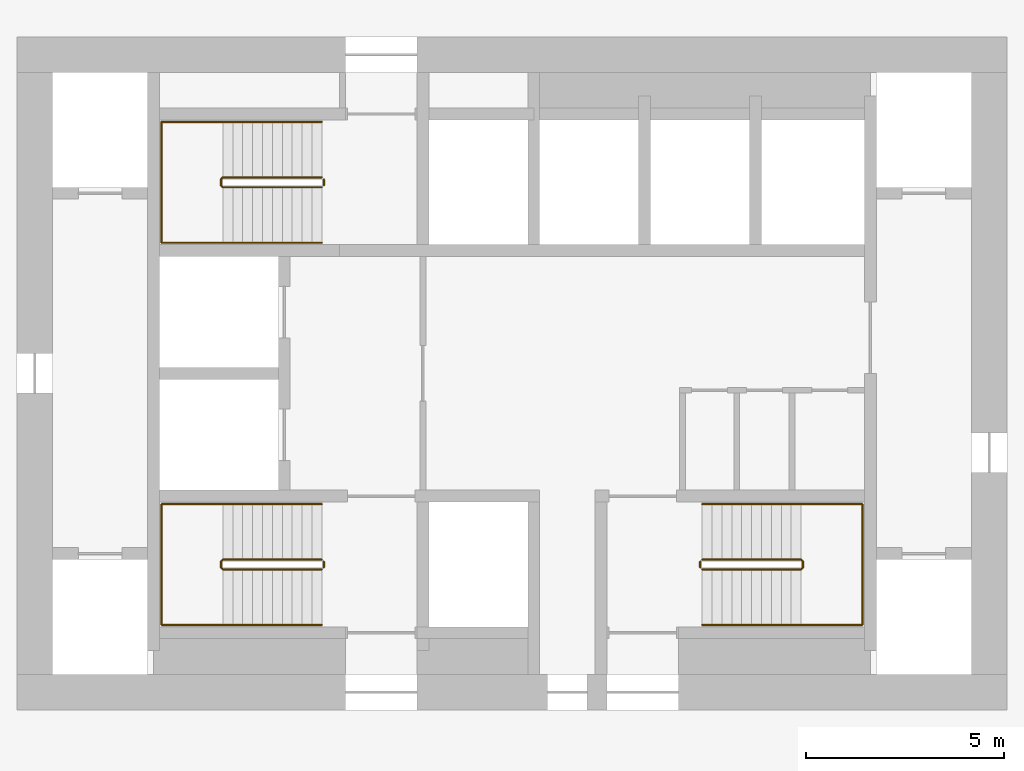
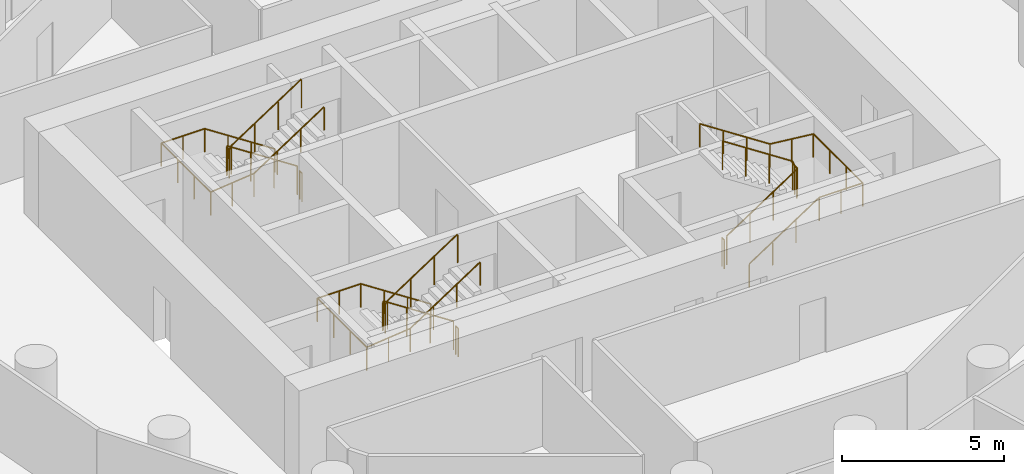
# One storey, part 10 of 10: 9 railings.
"""IFC4 building model written with IfcOpenShell, lengths in metres."""

import ifcopenshell
import ifcopenshell.guid

model = None  # the IFC model being written
_history = None  # IfcOwnerHistory: only IFC2X3 demands one
_inside = {}  # id of a spatial element -> (the spatial element, [elements in it])
_under = {}  # id of a project, library or spatial element -> (it, [spatial elements below it])
_declared = {}  # id of a project -> (the project, [libraries it declares])
_typed = {}  # id of a type object -> (the type object, [elements of that type])
_made_of = {}  # id of a material, layer set ... -> (it, [elements and type objects made of it])


def new_model(schema):
    """Start an empty IFC model of exactly this schema.

    Asked for "IFC4X3", IfcOpenShell would pick the latest addendum, in which some entities
    have other attributes; the version numbers below select the first issue.
    IFC2X3 requires an IfcOwnerHistory on every rooted entity: one is made here for all.
    """
    global model, _history
    if schema == "IFC4X3":
        model = ifcopenshell.file(schema_version=(4, 3, 0, 0))
    else:
        model = ifcopenshell.file(schema=schema)
    _inside.clear()
    _under.clear()
    _declared.clear()
    _typed.clear()
    _made_of.clear()
    _history = None
    if model.schema == "IFC2X3":
        org = make("IfcOrganization", Name="unknown")
        user = make(
            "IfcPersonAndOrganization",
            ThePerson=make("IfcPerson", FamilyName="unknown"),
            TheOrganization=org,
        )
        app = make(
            "IfcApplication",
            ApplicationDeveloper=org,
            Version="unknown",
            ApplicationFullName="unknown",
            ApplicationIdentifier="unknown",
        )
        _history = make(
            "IfcOwnerHistory",
            OwningUser=user,
            OwningApplication=app,
            ChangeAction="ADDED",
            CreationDate=0,
        )
    return model


def make(cls, **values):
    """One entity of the class cls with the attributes given. An attribute that is None is left unset."""
    return model.create_entity(
        cls, **{name: value for name, value in values.items() if value is not None}
    )


def rooted(cls, **values):
    """An entity with a GlobalId (a new one), such as an element, a storey or a relation."""
    return make(cls, GlobalId=ifcopenshell.guid.new(), OwnerHistory=_history, **values)


def si_unit(unit_type, name, prefix=None):
    """IfcSIUnit, for example si_unit("LENGTHUNIT", "METRE", prefix="MILLI")."""
    return make("IfcSIUnit", UnitType=unit_type, Prefix=prefix, Name=name)


def assignment(units):
    """IfcUnitAssignment: the units of a project."""
    return None if units is None else make("IfcUnitAssignment", Units=units)


def point(xyz):
    """IfcCartesianPoint."""
    return None if xyz is None else make("IfcCartesianPoint", Coordinates=xyz)


def direction(xyz):
    """IfcDirection."""
    return None if xyz is None else make("IfcDirection", DirectionRatios=xyz)


def frame(location, z_axis=None, x_axis=None):
    """IfcAxis2Placement3D, a coordinate frame: its origin and axes. An axis left out is left unset."""
    return make(
        "IfcAxis2Placement3D",
        Location=point(location),
        Axis=direction(z_axis),
        RefDirection=direction(x_axis),
    )


def frame_2d(location, x_axis=None):
    """IfcAxis2Placement2D, a coordinate frame in the plane: its origin and x axis."""
    return make(
        "IfcAxis2Placement2D", Location=point(location), RefDirection=direction(x_axis)
    )


def origin():
    """The frame at (0, 0, 0) with its axes left unset."""
    return frame((0.0, 0.0, 0.0))


def origin_2d():
    """The frame at (0, 0) in the plane with its x axis left unset."""
    return frame_2d((0.0, 0.0))


def place(relative_to, where):
    """IfcLocalPlacement: puts the frame where relative to a parent placement (None: the world)."""
    return make(
        "IfcLocalPlacement", PlacementRelTo=relative_to, RelativePlacement=where
    )


def context(
    kind, dimensions, precision=None, world=None, true_north=None, identifier=None
):
    """IfcGeometricRepresentationContext, for example the 3D "Model" context."""
    return make(
        "IfcGeometricRepresentationContext",
        ContextIdentifier=identifier,
        ContextType=kind,
        CoordinateSpaceDimension=dimensions,
        Precision=precision,
        WorldCoordinateSystem=world,
        TrueNorth=true_north,
    )


def subcontext(parent, identifier, kind, view, scale=None):
    """IfcGeometricRepresentationSubContext, for example "Body" below "Model"."""
    return make(
        "IfcGeometricRepresentationSubContext",
        ContextIdentifier=identifier,
        ContextType=kind,
        ParentContext=parent,
        TargetScale=scale,
        TargetView=view,
    )


def project(units=None, contexts=None):
    """IfcProject with its units and contexts."""
    return rooted(
        "IfcProject",
        Name="project",
        RepresentationContexts=contexts,
        UnitsInContext=assignment(units),
    )


def spatial(cls, under=None, at=None, **own):
    """A site, building, storey or space (cls), placed at a placement, below another one or the project."""
    s = rooted(cls, ObjectPlacement=at, **own)
    if under is not None:
        _under.setdefault(under.id(), (under, []))[1].append(s)
    return s


def profile(cls, at=None, kind="AREA", **sizes):
    """A parametric profile (cls). Its sizes go by their IFC names, for example OverallWidth=200.0."""
    return make(cls, ProfileType=kind, Position=at, **sizes)


def circle(**sizes):
    """IfcCircleProfileDef."""
    return profile("IfcCircleProfileDef", **sizes)


def extrude(swept, where, along, depth):
    """IfcExtrudedAreaSolid: the profile swept, set in the frame where, extruded along a direction by depth."""
    return make(
        "IfcExtrudedAreaSolid",
        SweptArea=swept,
        Position=where,
        ExtrudedDirection=direction(along),
        Depth=depth,
    )


def shape(context_of_items, identifier, shape_type, items):
    """IfcShapeRepresentation: the items that make up one representation, for example the "Body"."""
    return make(
        "IfcShapeRepresentation",
        ContextOfItems=context_of_items,
        RepresentationIdentifier=identifier,
        RepresentationType=shape_type,
        Items=items,
    )


def material(Name=None, Category=None):
    """IfcMaterial."""
    return make("IfcMaterial", Name=Name, Category=Category)


def made_of(thing, what):
    """Note that an element or type object is made of a material, layer set ...; save() writes the relation."""
    if what is not None:
        _made_of.setdefault(what.id(), (what, []))[1].append(thing)
    return thing


def type_object(cls, material=None, **own):
    """A type object (cls), such as IfcWallType, which elements share."""
    return made_of(rooted(cls, **own), material)


def element(
    cls,
    number,
    at=None,
    inside=None,
    cuts=None,
    type_object=None,
    material=None,
    context=None,
    identifier="Body",
    shape_type=None,
    held_by="IfcProductDefinitionShape",
    body=None,
    shapes=None,
    **own,
):
    """One element of the class cls, such as IfcWall. Its Tag is "e" and its number.

    at: its placement. inside: the storey or other place that contains it. cuts: it is an
    opening in that element (IfcRelVoidsElement). A single representation is given by context,
    identifier, shape_type and body (its items); several are given by shapes. held_by: the class
    of the entity that holds the representations. save() writes the other relations.
    """
    e = rooted(cls, Tag="e%d" % number, ObjectPlacement=at, **own)
    if body is not None:
        shapes = [shape(context, identifier, shape_type, body)]
    if shapes is not None:
        e.Representation = make(held_by, Representations=shapes)
    if inside is not None:
        _inside.setdefault(inside.id(), (inside, []))[1].append(e)
    if cuts is not None:
        rooted(
            "IfcRelVoidsElement", RelatingBuildingElement=cuts, RelatedOpeningElement=e
        )
    if type_object is not None:
        _typed.setdefault(type_object.id(), (type_object, []))[1].append(e)
    return made_of(e, material)


def aggregate(whole, parts):
    """IfcRelAggregates: a whole, such as a stair, and the parts it consists of."""
    return rooted("IfcRelAggregates", RelatingObject=whole, RelatedObjects=parts)


def save(model, path):
    """Write the relations noted so far, then the file.

    IfcRelAggregates (storeys below a building ...), IfcRelContainedInSpatialStructure (elements
    in a storey), IfcRelDefinesByType, IfcRelAssociatesMaterial and IfcRelDeclares: one each for
    every whole, place, type object, material and project.
    """
    for whole, parts in _under.values():
        aggregate(whole, parts)
    for where, things in _inside.values():
        rooted(
            "IfcRelContainedInSpatialStructure",
            RelatedElements=things,
            RelatingStructure=where,
        )
    for kind, things in _typed.values():
        rooted("IfcRelDefinesByType", RelatedObjects=things, RelatingType=kind)
    for what, things in _made_of.values():
        rooted("IfcRelAssociatesMaterial", RelatedObjects=things, RelatingMaterial=what)
    for by, libraries in _declared.values():
        rooted("IfcRelDeclares", RelatingContext=by, RelatedDefinitions=libraries)
    model.write(path)


model = new_model("IFC4")

# Units and contexts
model_context = context("Model", 3, precision=1e-05, world=origin(), true_north=direction((0.0, 1.0)))
body_context = subcontext(model_context, "Body", "Model", "MODEL_VIEW")
ifc_project = project(units=[si_unit("LENGTHUNIT", "METRE"), si_unit("AREAUNIT", "SQUARE_METRE"), si_unit("VOLUMEUNIT", "CUBIC_METRE"), si_unit("PLANEANGLEUNIT", "RADIAN"), si_unit("MASSUNIT", "GRAM", prefix="KILO")], contexts=[model_context])

# Site, building, storey
site_placement = place(None, origin())
site = spatial("IfcSite", under=ifc_project, at=site_placement, CompositionType="ELEMENT")
building_placement = place(site_placement, origin())
building = spatial("IfcBuilding", under=site, at=building_placement, Name="Tracery Tower", CompositionType="ELEMENT")
storey_placement = place(building_placement, frame((0.0, 0.0, 133.199951171875)))
storey = spatial("IfcBuildingStorey", under=building, at=storey_placement, Name="L33", CompositionType="ELEMENT", Elevation=133.199951171875)

# Railings
ifc_material_1 = material(Name="Stainless steel and laminated glass", Category="steel")
railing_type_1 = type_object("IfcRailingType", Name="Stair guard 1100", PredefinedType="GUARDRAIL", material=ifc_material_1)
railing_1_placement = place(storey_placement, frame((-4.800048828125, -4.699951171875, 0.16357421875)))
element("IfcRailing", 1, at=railing_1_placement, inside=storey, type_object=railing_type_1, Name="L33 stair ST1 guard 1", PredefinedType="GUARDRAIL", context=body_context, shape_type="SweptSolid", body=[
    extrude(circle(Radius=0.02392578125, at=origin_2d()), frame((0.0, 0.0, 1.076171875), z_axis=(-0.83668449804, 0.0, 0.54768517484), x_axis=(0.0, -1.0, 0.0)), (0.0, 0.0, 1.0), 2.988037109375),
    extrude(circle(Radius=0.02392578125, at=origin_2d()), frame((-2.5, 0.0, 2.71240234375), z_axis=(-0.707106781187, -0.707106781187, 0.0), x_axis=(0.707106781187, -0.707106781187, 0.0)), (0.0, 0.0, 1.0), 0.07080078125),
    extrude(circle(Radius=0.02392578125, at=origin_2d()), frame((-2.550048828125, -0.050048828125, 2.71240234375), z_axis=(0.0, -1.0, 0.0), x_axis=(1.0, 0.0, 0.0)), (0.0, 0.0, 1.0), 0.14990234375),
    extrude(circle(Radius=0.02392578125, at=origin_2d()), frame((-2.550048828125, -0.199951171875, 2.71240234375), z_axis=(0.280808744504, -0.280808744504, 0.917765164963), x_axis=(0.707106781187, 0.707106781187, 0.0)), (0.0, 0.0, 1.0), 0.17822265625),
    extrude(circle(Radius=0.02392578125, at=origin_2d()), frame((-2.5, -0.25, 2.8759765625), z_axis=(0.83668449804, 0.0, 0.54768517484), x_axis=(0.0, 1.0, 0.0)), (0.0, 0.0, 1.0), 2.988037109375),
    extrude(circle(Radius=0.02099609375, at=origin_2d()), origin(), (0.0, 0.0, 1.0), 1.052001953125),
    extrude(circle(Radius=0.02099609375, at=origin_2d()), frame((-0.833251953125, 0.0, 0.54541015625)), (0.0, 0.0, 1.0), 1.052001953125),
    extrude(circle(Radius=0.02099609375, at=origin_2d()), frame((-1.666748046875, 0.0, 1.091064453125)), (0.0, 0.0, 1.0), 1.052001953125),
    extrude(circle(Radius=0.02099609375, at=origin_2d()), frame((-2.5, 0.0, 1.636474609375)), (0.0, 0.0, 1.0), 1.052001953125),
    extrude(circle(Radius=0.02099609375, at=origin_2d()), frame((-2.550048828125, -0.050048828125, 1.636474609375)), (0.0, 0.0, 1.0), 1.052001953125),
    extrude(circle(Radius=0.02099609375, at=origin_2d()), frame((-2.550048828125, -0.199951171875, 1.636474609375)), (0.0, 0.0, 1.0), 1.052001953125),
    extrude(circle(Radius=0.02099609375, at=origin_2d()), frame((-2.5, -0.25, 1.800048828125)), (0.0, 0.0, 1.0), 1.052001953125),
    extrude(circle(Radius=0.02099609375, at=origin_2d()), frame((-1.666748046875, -0.25, 2.345458984375)), (0.0, 0.0, 1.0), 1.052001953125),
    extrude(circle(Radius=0.02099609375, at=origin_2d()), frame((-0.833251953125, -0.25, 2.89111328125)), (0.0, 0.0, 1.0), 1.052001953125),
    extrude(circle(Radius=0.02099609375, at=origin_2d()), frame((0.0, -0.25, 3.4365234375)), (0.0, 0.0, 1.0), 1.052001953125),
])
railing_2_placement = place(storey_placement, frame((-4.75, -4.75, 0.0)))
element("IfcRailing", 2, at=railing_2_placement, inside=storey, type_object=railing_type_1, Name="L33 stair ST1 guard 2", PredefinedType="GUARDRAIL", context=body_context, shape_type="SweptSolid", body=[
    extrude(circle(Radius=0.02392578125, at=origin_2d()), frame((0.0, 0.0, 1.076171875), z_axis=(0.0, -1.0, 0.0), x_axis=(1.0, 0.0, 0.0)), (0.0, 0.0, 1.0), 0.14990234375),
    extrude(circle(Radius=0.02099609375, at=origin_2d()), origin(), (0.0, 0.0, 1.0), 1.052001953125),
    extrude(circle(Radius=0.02099609375, at=origin_2d()), frame((0.0, -0.14990234375, 0.0)), (0.0, 0.0, 1.0), 1.052001953125),
])
railing_3_placement = place(storey_placement, frame((-4.800048828125, 4.949951171875, 0.16357421875)))
element("IfcRailing", 3, at=railing_3_placement, inside=storey, type_object=railing_type_1, Name="L33 stair ST3 guard 1", PredefinedType="GUARDRAIL", context=body_context, shape_type="SweptSolid", body=[
    extrude(circle(Radius=0.02392578125, at=origin_2d()), frame((0.0, 0.0, 1.076171875), z_axis=(-0.83668449804, 0.0, 0.54768517484), x_axis=(0.0, -1.0, 0.0)), (0.0, 0.0, 1.0), 2.988037109375),
    extrude(circle(Radius=0.02392578125, at=origin_2d()), frame((-2.5, 0.0, 2.71240234375), z_axis=(-0.707106781187, -0.707106781187, 0.0), x_axis=(0.707106781187, -0.707106781187, 0.0)), (0.0, 0.0, 1.0), 0.07080078125),
    extrude(circle(Radius=0.02392578125, at=origin_2d()), frame((-2.550048828125, -0.050048828125, 2.71240234375), z_axis=(0.0, -1.0, 0.0), x_axis=(1.0, 0.0, 0.0)), (0.0, 0.0, 1.0), 0.14990234375),
    extrude(circle(Radius=0.02392578125, at=origin_2d()), frame((-2.550048828125, -0.199951171875, 2.71240234375), z_axis=(0.280808744504, -0.280808744504, 0.917765164963), x_axis=(0.707106781187, 0.707106781187, 0.0)), (0.0, 0.0, 1.0), 0.17822265625),
    extrude(circle(Radius=0.02392578125, at=origin_2d()), frame((-2.5, -0.25, 2.8759765625), z_axis=(0.83668449804, 0.0, 0.54768517484), x_axis=(0.0, 1.0, 0.0)), (0.0, 0.0, 1.0), 2.988037109375),
    extrude(circle(Radius=0.02099609375, at=origin_2d()), origin(), (0.0, 0.0, 1.0), 1.052001953125),
    extrude(circle(Radius=0.02099609375, at=origin_2d()), frame((-0.833251953125, 0.0, 0.54541015625)), (0.0, 0.0, 1.0), 1.052001953125),
    extrude(circle(Radius=0.02099609375, at=origin_2d()), frame((-1.666748046875, 0.0, 1.091064453125)), (0.0, 0.0, 1.0), 1.052001953125),
    extrude(circle(Radius=0.02099609375, at=origin_2d()), frame((-2.5, 0.0, 1.636474609375)), (0.0, 0.0, 1.0), 1.052001953125),
    extrude(circle(Radius=0.02099609375, at=origin_2d()), frame((-2.550048828125, -0.050048828125, 1.636474609375)), (0.0, 0.0, 1.0), 1.052001953125),
    extrude(circle(Radius=0.02099609375, at=origin_2d()), frame((-2.550048828125, -0.199951171875, 1.636474609375)), (0.0, 0.0, 1.0), 1.052001953125),
    extrude(circle(Radius=0.02099609375, at=origin_2d()), frame((-2.5, -0.25, 1.800048828125)), (0.0, 0.0, 1.0), 1.052001953125),
    extrude(circle(Radius=0.02099609375, at=origin_2d()), frame((-1.666748046875, -0.25, 2.345458984375)), (0.0, 0.0, 1.0), 1.052001953125),
    extrude(circle(Radius=0.02099609375, at=origin_2d()), frame((-0.833251953125, -0.25, 2.89111328125)), (0.0, 0.0, 1.0), 1.052001953125),
    extrude(circle(Radius=0.02099609375, at=origin_2d()), frame((0.0, -0.25, 3.4365234375)), (0.0, 0.0, 1.0), 1.052001953125),
])
railing_4_placement = place(storey_placement, frame((-4.75, 4.89990234375, 0.0)))
element("IfcRailing", 4, at=railing_4_placement, inside=storey, type_object=railing_type_1, Name="L33 stair ST3 guard 2", PredefinedType="GUARDRAIL", context=body_context, shape_type="SweptSolid", body=[
    extrude(circle(Radius=0.02392578125, at=origin_2d()), frame((0.0, 0.0, 1.076171875), z_axis=(0.0, -1.0, 0.0), x_axis=(1.0, 0.0, 0.0)), (0.0, 0.0, 1.0), 0.14990234375),
    extrude(circle(Radius=0.02099609375, at=origin_2d()), origin(), (0.0, 0.0, 1.0), 1.052001953125),
    extrude(circle(Radius=0.02099609375, at=origin_2d()), frame((0.0, -0.14990234375, 0.0)), (0.0, 0.0, 1.0), 1.052001953125),
])
railing_5_placement = place(storey_placement, frame((4.800048828125, -4.949951171875, 0.16357421875)))
element("IfcRailing", 5, at=railing_5_placement, inside=storey, type_object=railing_type_1, Name="L33 stair ST2 guard 1", PredefinedType="GUARDRAIL", context=body_context, shape_type="SweptSolid", body=[
    extrude(circle(Radius=0.02392578125, at=origin_2d()), frame((0.0, 0.0, 1.076171875), z_axis=(0.83668449804, 0.0, 0.54768517484), x_axis=(0.0, 1.0, 0.0)), (0.0, 0.0, 1.0), 2.988037109375),
    extrude(circle(Radius=0.02392578125, at=origin_2d()), frame((2.5, 0.0, 2.71240234375), z_axis=(0.707106781187, 0.707106781187, 0.0), x_axis=(-0.707106781187, 0.707106781187, 0.0)), (0.0, 0.0, 1.0), 0.07080078125),
    extrude(circle(Radius=0.02392578125, at=origin_2d()), frame((2.550048828125, 0.050048828125, 2.71240234375), z_axis=(0.0, 1.0, 0.0), x_axis=(-1.0, 0.0, 0.0)), (0.0, 0.0, 1.0), 0.14990234375),
    extrude(circle(Radius=0.02392578125, at=origin_2d()), frame((2.550048828125, 0.199951171875, 2.71240234375), z_axis=(-0.280808744504, 0.280808744504, 0.917765164963), x_axis=(-0.707106781187, -0.707106781187, 0.0)), (0.0, 0.0, 1.0), 0.17822265625),
    extrude(circle(Radius=0.02392578125, at=origin_2d()), frame((2.5, 0.25, 2.8759765625), z_axis=(-0.83668449804, 0.0, 0.54768517484), x_axis=(0.0, -1.0, 0.0)), (0.0, 0.0, 1.0), 2.988037109375),
    extrude(circle(Radius=0.02099609375, at=origin_2d()), origin(), (0.0, 0.0, 1.0), 1.052001953125),
    extrude(circle(Radius=0.02099609375, at=origin_2d()), frame((0.833251953125, 0.0, 0.54541015625)), (0.0, 0.0, 1.0), 1.052001953125),
    extrude(circle(Radius=0.02099609375, at=origin_2d()), frame((1.666748046875, 0.0, 1.091064453125)), (0.0, 0.0, 1.0), 1.052001953125),
    extrude(circle(Radius=0.02099609375, at=origin_2d()), frame((2.5, 0.0, 1.636474609375)), (0.0, 0.0, 1.0), 1.052001953125),
    extrude(circle(Radius=0.02099609375, at=origin_2d()), frame((2.550048828125, 0.050048828125, 1.636474609375)), (0.0, 0.0, 1.0), 1.052001953125),
    extrude(circle(Radius=0.02099609375, at=origin_2d()), frame((2.550048828125, 0.199951171875, 1.636474609375)), (0.0, 0.0, 1.0), 1.052001953125),
    extrude(circle(Radius=0.02099609375, at=origin_2d()), frame((2.5, 0.25, 1.800048828125)), (0.0, 0.0, 1.0), 1.052001953125),
    extrude(circle(Radius=0.02099609375, at=origin_2d()), frame((1.666748046875, 0.25, 2.345458984375)), (0.0, 0.0, 1.0), 1.052001953125),
    extrude(circle(Radius=0.02099609375, at=origin_2d()), frame((0.833251953125, 0.25, 2.89111328125)), (0.0, 0.0, 1.0), 1.052001953125),
    extrude(circle(Radius=0.02099609375, at=origin_2d()), frame((0.0, 0.25, 3.4365234375)), (0.0, 0.0, 1.0), 1.052001953125),
])
railing_6_placement = place(storey_placement, frame((4.75, -4.89990234375, 0.0)))
element("IfcRailing", 6, at=railing_6_placement, inside=storey, type_object=railing_type_1, Name="L33 stair ST2 guard 2", PredefinedType="GUARDRAIL", context=body_context, shape_type="SweptSolid", body=[
    extrude(circle(Radius=0.02392578125, at=origin_2d()), frame((0.0, 0.0, 1.076171875), z_axis=(0.0, 1.0, 0.0), x_axis=(-1.0, 0.0, 0.0)), (0.0, 0.0, 1.0), 0.14990234375),
    extrude(circle(Radius=0.02099609375, at=origin_2d()), origin(), (0.0, 0.0, 1.0), 1.052001953125),
    extrude(circle(Radius=0.02099609375, at=origin_2d()), frame((0.0, 0.14990234375, 0.0)), (0.0, 0.0, 1.0), 1.052001953125),
])
ifc_material_2 = material(Name="Stainless steel and laminated glass", Category="steel")
railing_type_2 = type_object("IfcRailingType", Name="Stair handrail 900", PredefinedType="HANDRAIL", material=ifc_material_2)
railing_7_placement = place(storey_placement, frame((-4.800048828125, -3.300048828125, 0.16357421875)))
element("IfcRailing", 7, at=railing_7_placement, inside=storey, type_object=railing_type_2, Name="L33 stair ST1 handrail 1", PredefinedType="HANDRAIL", context=body_context, shape_type="SweptSolid", body=[
    extrude(circle(Radius=0.02392578125, at=origin_2d()), frame((0.0, 0.0, 0.8759765625), z_axis=(-0.83668449804, 0.0, 0.54768517484), x_axis=(0.0, -1.0, 0.0)), (0.0, 0.0, 1.0), 2.988037109375),
    extrude(circle(Radius=0.02392578125, at=origin_2d()), frame((-2.5, 0.0, 2.51220703125), z_axis=(-1.0, 0.0, 0.0), x_axis=(0.0, -1.0, 0.0)), (0.0, 0.0, 1.0), 1.550048828125),
    extrude(circle(Radius=0.02392578125, at=origin_2d()), frame((-4.050048828125, 0.0, 2.51220703125), z_axis=(0.0, -1.0, 0.0), x_axis=(1.0, 0.0, 0.0)), (0.0, 0.0, 1.0), 3.050048828125),
    extrude(circle(Radius=0.02392578125, at=origin_2d()), frame((-4.050048828125, -3.050048828125, 2.51220703125), z_axis=(0.994477953863, 0.0, 0.104945696817), x_axis=(0.0, 1.0, 0.0)), (0.0, 0.0, 1.0), 1.55859375),
    extrude(circle(Radius=0.02392578125, at=origin_2d()), frame((-2.5, -3.050048828125, 2.67578125), z_axis=(0.83668449804, 0.0, 0.54768517484), x_axis=(0.0, 1.0, 0.0)), (0.0, 0.0, 1.0), 2.988037109375),
    extrude(circle(Radius=0.02099609375, at=origin_2d()), origin(), (0.0, 0.0, 1.0), 0.851806640625),
    extrude(circle(Radius=0.02099609375, at=origin_2d()), frame((-0.833251953125, 0.0, 0.54541015625)), (0.0, 0.0, 1.0), 0.851806640625),
    extrude(circle(Radius=0.02099609375, at=origin_2d()), frame((-1.666748046875, 0.0, 1.091064453125)), (0.0, 0.0, 1.0), 0.851806640625),
    extrude(circle(Radius=0.02099609375, at=origin_2d()), frame((-2.5, 0.0, 1.636474609375)), (0.0, 0.0, 1.0), 0.851806640625),
    extrude(circle(Radius=0.02099609375, at=origin_2d()), frame((-3.27490234375, 0.0, 1.636474609375)), (0.0, 0.0, 1.0), 0.851806640625),
    extrude(circle(Radius=0.02099609375, at=origin_2d()), frame((-4.050048828125, 0.0, 1.636474609375)), (0.0, 0.0, 1.0), 0.851806640625),
    extrude(circle(Radius=0.02099609375, at=origin_2d()), frame((-4.050048828125, -1.0166015625, 1.636474609375)), (0.0, 0.0, 1.0), 0.851806640625),
    extrude(circle(Radius=0.02099609375, at=origin_2d()), frame((-4.050048828125, -2.033447265625, 1.636474609375)), (0.0, 0.0, 1.0), 0.851806640625),
    extrude(circle(Radius=0.02099609375, at=origin_2d()), frame((-4.050048828125, -3.050048828125, 1.636474609375)), (0.0, 0.0, 1.0), 0.851806640625),
    extrude(circle(Radius=0.02099609375, at=origin_2d()), frame((-3.27490234375, -3.050048828125, 1.71826171875)), (0.0, 0.0, 1.0), 0.851806640625),
    extrude(circle(Radius=0.02099609375, at=origin_2d()), frame((-2.5, -3.050048828125, 1.800048828125)), (0.0, 0.0, 1.0), 0.851806640625),
    extrude(circle(Radius=0.02099609375, at=origin_2d()), frame((-1.666748046875, -3.050048828125, 2.345458984375)), (0.0, 0.0, 1.0), 0.851806640625),
    extrude(circle(Radius=0.02099609375, at=origin_2d()), frame((-0.833251953125, -3.050048828125, 2.89111328125)), (0.0, 0.0, 1.0), 0.851806640625),
    extrude(circle(Radius=0.02099609375, at=origin_2d()), frame((0.0, -3.050048828125, 3.4365234375)), (0.0, 0.0, 1.0), 0.851806640625),
])
railing_8_placement = place(storey_placement, frame((-4.800048828125, 6.35009765625, 0.16357421875)))
element("IfcRailing", 8, at=railing_8_placement, inside=storey, type_object=railing_type_2, Name="L33 stair ST3 handrail 1", PredefinedType="HANDRAIL", context=body_context, shape_type="SweptSolid", body=[
    extrude(circle(Radius=0.02392578125, at=origin_2d()), frame((0.0, 0.0, 0.8759765625), z_axis=(-0.83668449804, 0.0, 0.54768517484), x_axis=(0.0, -1.0, 0.0)), (0.0, 0.0, 1.0), 2.988037109375),
    extrude(circle(Radius=0.02392578125, at=origin_2d()), frame((-2.5, 0.0, 2.51220703125), z_axis=(-1.0, 0.0, 0.0), x_axis=(0.0, -1.0, 0.0)), (0.0, 0.0, 1.0), 1.550048828125),
    extrude(circle(Radius=0.02392578125, at=origin_2d()), frame((-4.050048828125, 0.0, 2.51220703125), z_axis=(0.0, -1.0, 0.0), x_axis=(1.0, 0.0, 0.0)), (0.0, 0.0, 1.0), 3.050048828125),
    extrude(circle(Radius=0.02392578125, at=origin_2d()), frame((-4.050048828125, -3.050048828125, 2.51220703125), z_axis=(0.994477953863, 0.0, 0.104945696817), x_axis=(0.0, 1.0, 0.0)), (0.0, 0.0, 1.0), 1.55859375),
    extrude(circle(Radius=0.02392578125, at=origin_2d()), frame((-2.5, -3.050048828125, 2.67578125), z_axis=(0.83668449804, 0.0, 0.54768517484), x_axis=(0.0, 1.0, 0.0)), (0.0, 0.0, 1.0), 2.988037109375),
    extrude(circle(Radius=0.02099609375, at=origin_2d()), origin(), (0.0, 0.0, 1.0), 0.851806640625),
    extrude(circle(Radius=0.02099609375, at=origin_2d()), frame((-0.833251953125, 0.0, 0.54541015625)), (0.0, 0.0, 1.0), 0.851806640625),
    extrude(circle(Radius=0.02099609375, at=origin_2d()), frame((-1.666748046875, 0.0, 1.091064453125)), (0.0, 0.0, 1.0), 0.851806640625),
    extrude(circle(Radius=0.02099609375, at=origin_2d()), frame((-2.5, 0.0, 1.636474609375)), (0.0, 0.0, 1.0), 0.851806640625),
    extrude(circle(Radius=0.02099609375, at=origin_2d()), frame((-3.27490234375, 0.0, 1.636474609375)), (0.0, 0.0, 1.0), 0.851806640625),
    extrude(circle(Radius=0.02099609375, at=origin_2d()), frame((-4.050048828125, 0.0, 1.636474609375)), (0.0, 0.0, 1.0), 0.851806640625),
    extrude(circle(Radius=0.02099609375, at=origin_2d()), frame((-4.050048828125, -1.0166015625, 1.636474609375)), (0.0, 0.0, 1.0), 0.851806640625),
    extrude(circle(Radius=0.02099609375, at=origin_2d()), frame((-4.050048828125, -2.033447265625, 1.636474609375)), (0.0, 0.0, 1.0), 0.851806640625),
    extrude(circle(Radius=0.02099609375, at=origin_2d()), frame((-4.050048828125, -3.050048828125, 1.636474609375)), (0.0, 0.0, 1.0), 0.851806640625),
    extrude(circle(Radius=0.02099609375, at=origin_2d()), frame((-3.27490234375, -3.050048828125, 1.71826171875)), (0.0, 0.0, 1.0), 0.851806640625),
    extrude(circle(Radius=0.02099609375, at=origin_2d()), frame((-2.5, -3.050048828125, 1.800048828125)), (0.0, 0.0, 1.0), 0.851806640625),
    extrude(circle(Radius=0.02099609375, at=origin_2d()), frame((-1.666748046875, -3.050048828125, 2.345458984375)), (0.0, 0.0, 1.0), 0.851806640625),
    extrude(circle(Radius=0.02099609375, at=origin_2d()), frame((-0.833251953125, -3.050048828125, 2.89111328125)), (0.0, 0.0, 1.0), 0.851806640625),
    extrude(circle(Radius=0.02099609375, at=origin_2d()), frame((0.0, -3.050048828125, 3.4365234375)), (0.0, 0.0, 1.0), 0.851806640625),
])
railing_9_placement = place(storey_placement, frame((4.800048828125, -6.35009765625, 0.16357421875)))
element("IfcRailing", 9, at=railing_9_placement, inside=storey, type_object=railing_type_2, Name="L33 stair ST2 handrail 1", PredefinedType="HANDRAIL", context=body_context, shape_type="SweptSolid", body=[
    extrude(circle(Radius=0.02392578125, at=origin_2d()), frame((0.0, 0.0, 0.8759765625), z_axis=(0.83668449804, 0.0, 0.54768517484), x_axis=(0.0, 1.0, 0.0)), (0.0, 0.0, 1.0), 2.988037109375),
    extrude(circle(Radius=0.02392578125, at=origin_2d()), frame((2.5, 0.0, 2.51220703125), z_axis=(1.0, 0.0, 0.0), x_axis=(0.0, 1.0, 0.0)), (0.0, 0.0, 1.0), 1.550048828125),
    extrude(circle(Radius=0.02392578125, at=origin_2d()), frame((4.050048828125, 0.0, 2.51220703125), z_axis=(0.0, 1.0, 0.0), x_axis=(-1.0, 0.0, 0.0)), (0.0, 0.0, 1.0), 3.050048828125),
    extrude(circle(Radius=0.02392578125, at=origin_2d()), frame((4.050048828125, 3.050048828125, 2.51220703125), z_axis=(-0.994477953863, 0.0, 0.104945696817), x_axis=(0.0, -1.0, 0.0)), (0.0, 0.0, 1.0), 1.55859375),
    extrude(circle(Radius=0.02392578125, at=origin_2d()), frame((2.5, 3.050048828125, 2.67578125), z_axis=(-0.83668449804, 0.0, 0.54768517484), x_axis=(0.0, -1.0, 0.0)), (0.0, 0.0, 1.0), 2.988037109375),
    extrude(circle(Radius=0.02099609375, at=origin_2d()), origin(), (0.0, 0.0, 1.0), 0.851806640625),
    extrude(circle(Radius=0.02099609375, at=origin_2d()), frame((0.833251953125, 0.0, 0.54541015625)), (0.0, 0.0, 1.0), 0.851806640625),
    extrude(circle(Radius=0.02099609375, at=origin_2d()), frame((1.666748046875, 0.0, 1.091064453125)), (0.0, 0.0, 1.0), 0.851806640625),
    extrude(circle(Radius=0.02099609375, at=origin_2d()), frame((2.5, 0.0, 1.636474609375)), (0.0, 0.0, 1.0), 0.851806640625),
    extrude(circle(Radius=0.02099609375, at=origin_2d()), frame((3.27490234375, 0.0, 1.636474609375)), (0.0, 0.0, 1.0), 0.851806640625),
    extrude(circle(Radius=0.02099609375, at=origin_2d()), frame((4.050048828125, 0.0, 1.636474609375)), (0.0, 0.0, 1.0), 0.851806640625),
    extrude(circle(Radius=0.02099609375, at=origin_2d()), frame((4.050048828125, 1.0166015625, 1.636474609375)), (0.0, 0.0, 1.0), 0.851806640625),
    extrude(circle(Radius=0.02099609375, at=origin_2d()), frame((4.050048828125, 2.033447265625, 1.636474609375)), (0.0, 0.0, 1.0), 0.851806640625),
    extrude(circle(Radius=0.02099609375, at=origin_2d()), frame((4.050048828125, 3.050048828125, 1.636474609375)), (0.0, 0.0, 1.0), 0.851806640625),
    extrude(circle(Radius=0.02099609375, at=origin_2d()), frame((3.27490234375, 3.050048828125, 1.71826171875)), (0.0, 0.0, 1.0), 0.851806640625),
    extrude(circle(Radius=0.02099609375, at=origin_2d()), frame((2.5, 3.050048828125, 1.800048828125)), (0.0, 0.0, 1.0), 0.851806640625),
    extrude(circle(Radius=0.02099609375, at=origin_2d()), frame((1.666748046875, 3.050048828125, 2.345458984375)), (0.0, 0.0, 1.0), 0.851806640625),
    extrude(circle(Radius=0.02099609375, at=origin_2d()), frame((0.833251953125, 3.050048828125, 2.89111328125)), (0.0, 0.0, 1.0), 0.851806640625),
    extrude(circle(Radius=0.02099609375, at=origin_2d()), frame((0.0, 3.050048828125, 3.4365234375)), (0.0, 0.0, 1.0), 0.851806640625),
])

save(model, "model.ifc")
